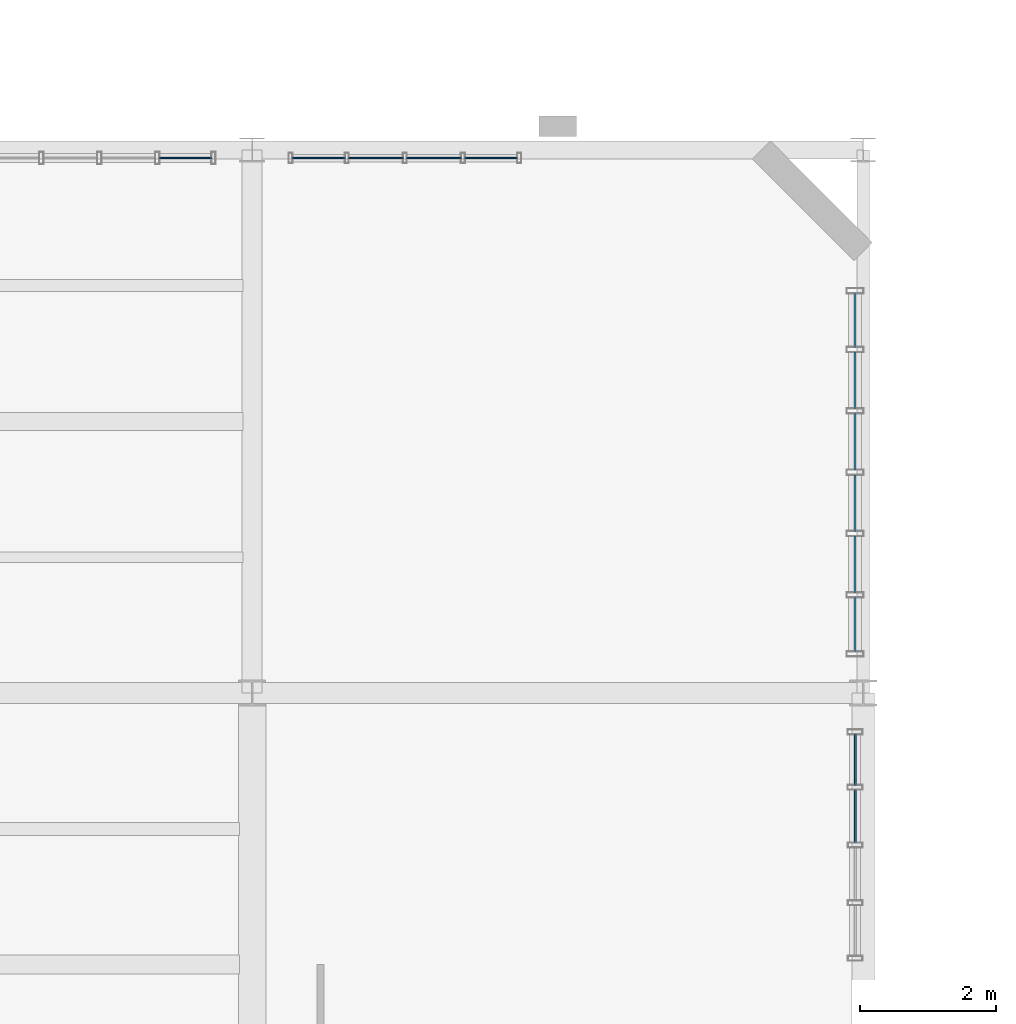
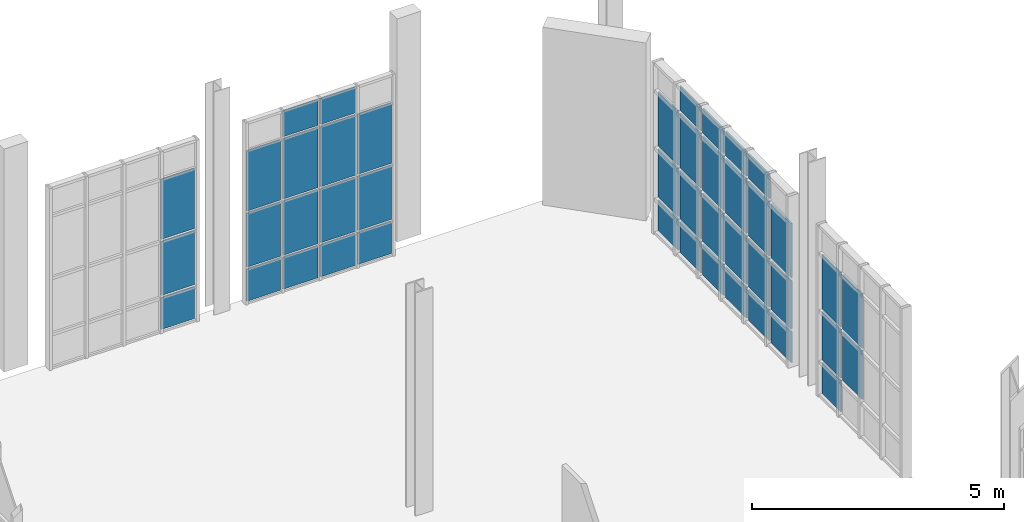
# One storey, part 162 of 189: 44 plates, 4 elements without a shape of their own.
"""IFC4 building model written with IfcOpenShell, lengths in metres."""

from ifc_helpers import new_model, si_unit, direction, frame, origin, origin_2d, place, context, subcontext, project, spatial, rectangle, extrude, material, layer, layer_set, type_object, element, aggregate, save


model = new_model("IFC4")

# Units and contexts
model_context = context("Model", 3, precision=1e-05, world=origin(), true_north=direction((0.0, 1.0)))
body_context = subcontext(model_context, "Body", "Model", "MODEL_VIEW")
ifc_project = project(units=[si_unit("LENGTHUNIT", "METRE"), si_unit("AREAUNIT", "SQUARE_METRE"), si_unit("VOLUMEUNIT", "CUBIC_METRE"), si_unit("PLANEANGLEUNIT", "RADIAN"), si_unit("MASSUNIT", "GRAM", prefix="KILO"), si_unit("THERMODYNAMICTEMPERATUREUNIT", "KELVIN"), si_unit("POWERUNIT", "WATT")], contexts=[model_context])

# Site, building, storey
site_placement = place(None, origin())
site = spatial("IfcSite", under=ifc_project, at=site_placement, CompositionType="ELEMENT")
building_placement = place(site_placement, origin())
building = spatial("IfcBuilding", under=site, at=building_placement, Name="Zelmaris Science Centre", CompositionType="ELEMENT")
storey_placement = place(building_placement, origin())
storey = spatial("IfcBuildingStorey", under=building, at=storey_placement, Name="L00", CompositionType="ELEMENT", Elevation=0.0)

# Curtain wall, plates
ifc_material_1 = material(Name="Anodised architectural aluminium 6063-T6", Category="aluminium")
ifc_layer_1 = layer(ifc_material_1, 0.18994140625, Name="Anodised architectural aluminium 6063-T6")
ifc_layer_set_1 = layer_set([ifc_layer_1], Name="Anodised architectural aluminium 6063-T6")
curtain_wall_type_1 = type_object("IfcCurtainWallType", Name="Curtain Wall CW-01", PredefinedType="USERDEFINED", material=ifc_layer_set_1)
curtain_wall_1_placement = place(storey_placement, origin())
curtain_wall_1 = element("IfcCurtainWall", 1, at=curtain_wall_1_placement, inside=storey, type_object=curtain_wall_type_1, Name="L00 Unitised curtain wall 85", ObjectType="GLAZED CURTAIN WALL", PredefinedType="USERDEFINED")
ifc_material_2 = material(Name="Laminated hurricane-rated low-E insulated glazing", Category="glass")
ifc_layer_2 = layer(ifc_material_2, 0.031982421875, Name="Laminated hurricane-rated low-E insulated glazing")
ifc_layer_set_2 = layer_set([ifc_layer_2], Name="Laminated hurricane-rated low-E insulated glazing")
plate_type_1 = type_object("IfcPlateType", Name="Curtain Glazing Panel CWP-1 32mm", PredefinedType="CURTAIN_PANEL", material=ifc_layer_set_2)
plate_1_placement = place(storey_placement, frame((107.880126953125, 85.490234375, 0.05712890625), z_axis=(0.0, 0.0, 1.0), x_axis=(0.000129151293, -0.99999999166, 0.0)))
plate_1 = element("IfcPlate", 2, at=plate_1_placement, type_object=plate_type_1, Name="CW-01 panel 1.1", PredefinedType="CURTAIN_PANEL", context=body_context, shape_type="SweptSolid", body=[
    extrude(rectangle(XDim=0.79541015625, YDim=0.031982421875, at=origin_2d()), origin(), (0.0, 0.0, 1.0), 0.741943359375),
])
plate_2_placement = place(storey_placement, frame((107.880126953125, 85.490234375, 0.87109375), z_axis=(0.0, 0.0, 1.0), x_axis=(0.000129151293, -0.99999999166, 0.0)))
plate_2 = element("IfcPlate", 3, at=plate_2_placement, type_object=plate_type_1, Name="CW-01 panel 1.2", PredefinedType="CURTAIN_PANEL", context=body_context, shape_type="SweptSolid", body=[
    extrude(rectangle(XDim=0.79541015625, YDim=0.031982421875, at=origin_2d()), origin(), (0.0, 0.0, 1.0), 1.16455078125),
])
plate_3_placement = place(storey_placement, frame((107.880126953125, 85.490234375, 2.107421875), z_axis=(0.0, 0.0, 1.0), x_axis=(0.000129151293, -0.99999999166, 0.0)))
plate_3 = element("IfcPlate", 4, at=plate_3_placement, type_object=plate_type_1, Name="CW-01 panel 1.3", PredefinedType="CURTAIN_PANEL", context=body_context, shape_type="SweptSolid", body=[
    extrude(rectangle(XDim=0.79541015625, YDim=0.031982421875, at=origin_2d()), origin(), (0.0, 0.0, 1.0), 1.314453125),
])
plate_4_placement = place(storey_placement, frame((107.880126953125, 84.60498046875, 0.05712890625), z_axis=(0.0, 0.0, 1.0), x_axis=(0.000129151293, -0.99999999166, 0.0)))
plate_4 = element("IfcPlate", 5, at=plate_4_placement, type_object=plate_type_1, Name="CW-01 panel 2.1", PredefinedType="CURTAIN_PANEL", context=body_context, shape_type="SweptSolid", body=[
    extrude(rectangle(XDim=0.831298828125, YDim=0.031982421875, at=origin_2d()), origin(), (0.0, 0.0, 1.0), 0.741943359375),
])
plate_5_placement = place(storey_placement, frame((107.880126953125, 84.60498046875, 0.87109375), z_axis=(0.0, 0.0, 1.0), x_axis=(0.000129151293, -0.99999999166, 0.0)))
plate_5 = element("IfcPlate", 6, at=plate_5_placement, type_object=plate_type_1, Name="CW-01 panel 2.2", PredefinedType="CURTAIN_PANEL", context=body_context, shape_type="SweptSolid", body=[
    extrude(rectangle(XDim=0.831298828125, YDim=0.031982421875, at=origin_2d()), origin(), (0.0, 0.0, 1.0), 1.16455078125),
])
plate_6_placement = place(storey_placement, frame((107.880126953125, 84.60498046875, 2.107421875), z_axis=(0.0, 0.0, 1.0), x_axis=(0.000129151293, -0.99999999166, 0.0)))
plate_6 = element("IfcPlate", 7, at=plate_6_placement, type_object=plate_type_1, Name="CW-01 panel 2.3", PredefinedType="CURTAIN_PANEL", context=body_context, shape_type="SweptSolid", body=[
    extrude(rectangle(XDim=0.831298828125, YDim=0.031982421875, at=origin_2d()), origin(), (0.0, 0.0, 1.0), 1.314453125),
])
plate_7_placement = place(storey_placement, frame((107.880126953125, 84.60498046875, 3.494140625), z_axis=(0.0, 0.0, 1.0), x_axis=(0.000129151293, -0.99999999166, 0.0)))
plate_7 = element("IfcPlate", 8, at=plate_7_placement, type_object=plate_type_1, Name="CW-01 panel 2.4", PredefinedType="CURTAIN_PANEL", context=body_context, shape_type="SweptSolid", body=[
    extrude(rectangle(XDim=0.831298828125, YDim=0.031982421875, at=origin_2d()), origin(), (0.0, 0.0, 1.0), 0.592041015625),
])
plate_8_placement = place(storey_placement, frame((107.88037109375, 83.70166015625, 0.05712890625), z_axis=(0.0, 0.0, 1.0), x_axis=(0.000129151293, -0.99999999166, 0.0)))
plate_8 = element("IfcPlate", 9, at=plate_8_placement, type_object=plate_type_1, Name="CW-01 panel 3.1", PredefinedType="CURTAIN_PANEL", context=body_context, shape_type="SweptSolid", body=[
    extrude(rectangle(XDim=0.831298828125, YDim=0.031982421875, at=origin_2d()), origin(), (0.0, 0.0, 1.0), 0.741943359375),
])
plate_9_placement = place(storey_placement, frame((107.88037109375, 83.70166015625, 0.87109375), z_axis=(0.0, 0.0, 1.0), x_axis=(0.000129151293, -0.99999999166, 0.0)))
plate_9 = element("IfcPlate", 10, at=plate_9_placement, type_object=plate_type_1, Name="CW-01 panel 3.2", PredefinedType="CURTAIN_PANEL", context=body_context, shape_type="SweptSolid", body=[
    extrude(rectangle(XDim=0.831298828125, YDim=0.031982421875, at=origin_2d()), origin(), (0.0, 0.0, 1.0), 1.16455078125),
])
plate_10_placement = place(storey_placement, frame((107.88037109375, 83.70166015625, 2.107421875), z_axis=(0.0, 0.0, 1.0), x_axis=(0.000129151293, -0.99999999166, 0.0)))
plate_10 = element("IfcPlate", 11, at=plate_10_placement, type_object=plate_type_1, Name="CW-01 panel 3.3", PredefinedType="CURTAIN_PANEL", context=body_context, shape_type="SweptSolid", body=[
    extrude(rectangle(XDim=0.831298828125, YDim=0.031982421875, at=origin_2d()), origin(), (0.0, 0.0, 1.0), 1.314453125),
])
plate_11_placement = place(storey_placement, frame((107.88037109375, 83.70166015625, 3.494140625), z_axis=(0.0, 0.0, 1.0), x_axis=(0.000129151293, -0.99999999166, 0.0)))
plate_11 = element("IfcPlate", 12, at=plate_11_placement, type_object=plate_type_1, Name="CW-01 panel 3.4", PredefinedType="CURTAIN_PANEL", context=body_context, shape_type="SweptSolid", body=[
    extrude(rectangle(XDim=0.831298828125, YDim=0.031982421875, at=origin_2d()), origin(), (0.0, 0.0, 1.0), 0.592041015625),
])
plate_12_placement = place(storey_placement, frame((107.88037109375, 82.79833984375, 0.05712890625), z_axis=(0.0, 0.0, 1.0), x_axis=(0.000129151293, -0.99999999166, 0.0)))
plate_12 = element("IfcPlate", 13, at=plate_12_placement, type_object=plate_type_1, Name="CW-01 panel 4.1", PredefinedType="CURTAIN_PANEL", context=body_context, shape_type="SweptSolid", body=[
    extrude(rectangle(XDim=0.831298828125, YDim=0.031982421875, at=origin_2d()), origin(), (0.0, 0.0, 1.0), 0.741943359375),
])
plate_13_placement = place(storey_placement, frame((107.88037109375, 82.79833984375, 0.87109375), z_axis=(0.0, 0.0, 1.0), x_axis=(0.000129151293, -0.99999999166, 0.0)))
plate_13 = element("IfcPlate", 14, at=plate_13_placement, type_object=plate_type_1, Name="CW-01 panel 4.2", PredefinedType="CURTAIN_PANEL", context=body_context, shape_type="SweptSolid", body=[
    extrude(rectangle(XDim=0.831298828125, YDim=0.031982421875, at=origin_2d()), origin(), (0.0, 0.0, 1.0), 1.16455078125),
])
plate_14_placement = place(storey_placement, frame((107.88037109375, 82.79833984375, 2.107421875), z_axis=(0.0, 0.0, 1.0), x_axis=(0.000129151293, -0.99999999166, 0.0)))
plate_14 = element("IfcPlate", 15, at=plate_14_placement, type_object=plate_type_1, Name="CW-01 panel 4.3", PredefinedType="CURTAIN_PANEL", context=body_context, shape_type="SweptSolid", body=[
    extrude(rectangle(XDim=0.831298828125, YDim=0.031982421875, at=origin_2d()), origin(), (0.0, 0.0, 1.0), 1.314453125),
])
plate_15_placement = place(storey_placement, frame((107.88037109375, 82.79833984375, 3.494140625), z_axis=(0.0, 0.0, 1.0), x_axis=(0.000129151293, -0.99999999166, 0.0)))
plate_15 = element("IfcPlate", 16, at=plate_15_placement, type_object=plate_type_1, Name="CW-01 panel 4.4", PredefinedType="CURTAIN_PANEL", context=body_context, shape_type="SweptSolid", body=[
    extrude(rectangle(XDim=0.831298828125, YDim=0.031982421875, at=origin_2d()), origin(), (0.0, 0.0, 1.0), 0.592041015625),
])
plate_16_placement = place(storey_placement, frame((107.880615234375, 81.89501953125, 0.05712890625), z_axis=(0.0, 0.0, 1.0), x_axis=(0.000129151293, -0.99999999166, 0.0)))
plate_16 = element("IfcPlate", 17, at=plate_16_placement, type_object=plate_type_1, Name="CW-01 panel 5.1", PredefinedType="CURTAIN_PANEL", context=body_context, shape_type="SweptSolid", body=[
    extrude(rectangle(XDim=0.831298828125, YDim=0.031982421875, at=origin_2d()), origin(), (0.0, 0.0, 1.0), 0.741943359375),
])
plate_17_placement = place(storey_placement, frame((107.880615234375, 81.89501953125, 0.87109375), z_axis=(0.0, 0.0, 1.0), x_axis=(0.000129151293, -0.99999999166, 0.0)))
plate_17 = element("IfcPlate", 18, at=plate_17_placement, type_object=plate_type_1, Name="CW-01 panel 5.2", PredefinedType="CURTAIN_PANEL", context=body_context, shape_type="SweptSolid", body=[
    extrude(rectangle(XDim=0.831298828125, YDim=0.031982421875, at=origin_2d()), origin(), (0.0, 0.0, 1.0), 1.16455078125),
])
plate_18_placement = place(storey_placement, frame((107.880615234375, 81.89501953125, 2.107421875), z_axis=(0.0, 0.0, 1.0), x_axis=(0.000129151293, -0.99999999166, 0.0)))
plate_18 = element("IfcPlate", 19, at=plate_18_placement, type_object=plate_type_1, Name="CW-01 panel 5.3", PredefinedType="CURTAIN_PANEL", context=body_context, shape_type="SweptSolid", body=[
    extrude(rectangle(XDim=0.831298828125, YDim=0.031982421875, at=origin_2d()), origin(), (0.0, 0.0, 1.0), 1.314453125),
])
plate_19_placement = place(storey_placement, frame((107.880615234375, 81.89501953125, 3.494140625), z_axis=(0.0, 0.0, 1.0), x_axis=(0.000129151293, -0.99999999166, 0.0)))
plate_19 = element("IfcPlate", 20, at=plate_19_placement, type_object=plate_type_1, Name="CW-01 panel 5.4", PredefinedType="CURTAIN_PANEL", context=body_context, shape_type="SweptSolid", body=[
    extrude(rectangle(XDim=0.831298828125, YDim=0.031982421875, at=origin_2d()), origin(), (0.0, 0.0, 1.0), 0.592041015625),
])
plate_20_placement = place(storey_placement, frame((107.880615234375, 81.009765625, 0.05712890625), z_axis=(0.0, 0.0, 1.0), x_axis=(0.000129151293, -0.99999999166, 0.0)))
plate_20 = element("IfcPlate", 21, at=plate_20_placement, type_object=plate_type_1, Name="CW-01 panel 6.1", PredefinedType="CURTAIN_PANEL", context=body_context, shape_type="SweptSolid", body=[
    extrude(rectangle(XDim=0.79541015625, YDim=0.031982421875, at=origin_2d()), origin(), (0.0, 0.0, 1.0), 0.741943359375),
])
plate_21_placement = place(storey_placement, frame((107.880615234375, 81.009765625, 0.87109375), z_axis=(0.0, 0.0, 1.0), x_axis=(0.000129151293, -0.99999999166, 0.0)))
plate_21 = element("IfcPlate", 22, at=plate_21_placement, type_object=plate_type_1, Name="CW-01 panel 6.2", PredefinedType="CURTAIN_PANEL", context=body_context, shape_type="SweptSolid", body=[
    extrude(rectangle(XDim=0.79541015625, YDim=0.031982421875, at=origin_2d()), origin(), (0.0, 0.0, 1.0), 1.16455078125),
])
plate_22_placement = place(storey_placement, frame((107.880615234375, 81.009765625, 2.107421875), z_axis=(0.0, 0.0, 1.0), x_axis=(0.000129151293, -0.99999999166, 0.0)))
plate_22 = element("IfcPlate", 23, at=plate_22_placement, type_object=plate_type_1, Name="CW-01 panel 6.3", PredefinedType="CURTAIN_PANEL", context=body_context, shape_type="SweptSolid", body=[
    extrude(rectangle(XDim=0.79541015625, YDim=0.031982421875, at=origin_2d()), origin(), (0.0, 0.0, 1.0), 1.314453125),
])
aggregate(curtain_wall_1, [plate_1, plate_2, plate_3, plate_4, plate_5, plate_6, plate_7, plate_8, plate_9, plate_10, plate_11, plate_12, plate_13, plate_14, plate_15, plate_16, plate_17, plate_18, plate_19, plate_20, plate_21, plate_22])

ifc_layer_3 = layer(ifc_material_1, 0.199951171875, Name="Anodised architectural aluminium 6063-T6")
ifc_layer_set_3 = layer_set([ifc_layer_3], Name="Anodised architectural aluminium 6063-T6")
curtain_wall_type_2 = type_object("IfcCurtainWallType", Name="Curtain Wall CW-02", PredefinedType="USERDEFINED", material=ifc_layer_set_3)
curtain_wall_2_placement = place(storey_placement, origin())
curtain_wall_2 = element("IfcCurtainWall", 24, at=curtain_wall_2_placement, inside=storey, type_object=curtain_wall_type_2, Name="L00 Unitised curtain wall 86", ObjectType="GLAZED CURTAIN WALL", PredefinedType="USERDEFINED")
ifc_layer_4 = layer(ifc_material_2, 0.028076171875, Name="Laminated hurricane-rated low-E insulated glazing")
ifc_layer_set_4 = layer_set([ifc_layer_4], Name="Laminated hurricane-rated low-E insulated glazing")
plate_type_2 = type_object("IfcPlateType", Name="Curtain Glazing Panel CWP-2 28mm", PredefinedType="CURTAIN_PANEL", material=ifc_layer_set_4)
plate_23_placement = place(storey_placement, frame((107.880859375, 79.018310546875, 0.052001953125), z_axis=(0.0, 0.0, 1.0), x_axis=(0.000147058824, -0.999999989187, 0.0)))
plate_23 = element("IfcPlate", 25, at=plate_23_placement, type_object=plate_type_2, Name="CW-02 panel 1.1", PredefinedType="CURTAIN_PANEL", context=body_context, shape_type="SweptSolid", body=[
    extrude(rectangle(XDim=0.74951171875, YDim=0.028076171875, at=origin_2d()), origin(), (0.0, 0.0, 1.0), 0.74951171875),
])
plate_24_placement = place(storey_placement, frame((107.880859375, 79.018310546875, 0.86865234375), z_axis=(0.0, 0.0, 1.0), x_axis=(0.000147058824, -0.999999989187, 0.0)))
plate_24 = element("IfcPlate", 26, at=plate_24_placement, type_object=plate_type_2, Name="CW-02 panel 1.2", PredefinedType="CURTAIN_PANEL", context=body_context, shape_type="SweptSolid", body=[
    extrude(rectangle(XDim=0.74951171875, YDim=0.028076171875, at=origin_2d()), origin(), (0.0, 0.0, 1.0), 1.16943359375),
])
plate_25_placement = place(storey_placement, frame((107.880859375, 79.018310546875, 2.10498046875), z_axis=(0.0, 0.0, 1.0), x_axis=(0.000147058824, -0.999999989187, 0.0)))
plate_25 = element("IfcPlate", 27, at=plate_25_placement, type_object=plate_type_2, Name="CW-02 panel 1.3", PredefinedType="CURTAIN_PANEL", context=body_context, shape_type="SweptSolid", body=[
    extrude(rectangle(XDim=0.74951171875, YDim=0.028076171875, at=origin_2d()), origin(), (0.0, 0.0, 1.0), 1.319580078125),
])
plate_26_placement = place(storey_placement, frame((107.881103515625, 78.18505859375, 0.86865234375), z_axis=(0.0, 0.0, 1.0), x_axis=(0.000147058824, -0.999999989187, 0.0)))
plate_26 = element("IfcPlate", 28, at=plate_26_placement, type_object=plate_type_2, Name="CW-02 panel 2.2", PredefinedType="CURTAIN_PANEL", context=body_context, shape_type="SweptSolid", body=[
    extrude(rectangle(XDim=0.782958984375, YDim=0.028076171875, at=origin_2d()), origin(), (0.0, 0.0, 1.0), 1.16943359375),
])
plate_27_placement = place(storey_placement, frame((107.881103515625, 78.18505859375, 2.10498046875), z_axis=(0.0, 0.0, 1.0), x_axis=(0.000147058824, -0.999999989187, 0.0)))
plate_27 = element("IfcPlate", 29, at=plate_27_placement, type_object=plate_type_2, Name="CW-02 panel 2.3", PredefinedType="CURTAIN_PANEL", context=body_context, shape_type="SweptSolid", body=[
    extrude(rectangle(XDim=0.782958984375, YDim=0.028076171875, at=origin_2d()), origin(), (0.0, 0.0, 1.0), 1.319580078125),
])
aggregate(curtain_wall_2, [plate_23, plate_24, plate_25, plate_26, plate_27])

ifc_layer_5 = layer(ifc_material_1, 0.2099609375, Name="Anodised architectural aluminium 6063-T6")
ifc_layer_set_5 = layer_set([ifc_layer_5], Name="Anodised architectural aluminium 6063-T6")
curtain_wall_type_3 = type_object("IfcCurtainWallType", Name="Curtain Wall CW-03", PredefinedType="USERDEFINED", material=ifc_layer_set_5)
curtain_wall_3_placement = place(storey_placement, origin())
curtain_wall_3 = element("IfcCurtainWall", 30, at=curtain_wall_3_placement, inside=storey, type_object=curtain_wall_type_3, Name="L00 Unitised curtain wall 83", ObjectType="GLAZED CURTAIN WALL", PredefinedType="USERDEFINED")
ifc_layer_6 = layer(ifc_material_2, 0.02587890625, Name="Laminated hurricane-rated low-E insulated glazing")
ifc_layer_set_6 = layer_set([ifc_layer_6], Name="Laminated hurricane-rated low-E insulated glazing")
plate_type_3 = type_object("IfcPlateType", Name="Curtain Glazing Panel CWP-3 26mm", PredefinedType="CURTAIN_PANEL", material=ifc_layer_set_6)
plate_28_placement = place(storey_placement, frame((98.018310546875, 87.8798828125, 0.0419921875), z_axis=(0.0, 0.0, 1.0), x_axis=(1.0, 0.0, 0.0)))
plate_28 = element("IfcPlate", 31, at=plate_28_placement, type_object=plate_type_3, Name="CW-03 panel 4.1", PredefinedType="CURTAIN_PANEL", context=body_context, shape_type="SweptSolid", body=[
    extrude(rectangle(XDim=0.76953125, YDim=0.02587890625, at=origin_2d()), origin(), (0.0, 0.0, 1.0), 0.764404296875),
])
plate_29_placement = place(storey_placement, frame((98.018310546875, 87.8798828125, 0.86328125), z_axis=(0.0, 0.0, 1.0), x_axis=(1.0, 0.0, 0.0)))
plate_29 = element("IfcPlate", 32, at=plate_29_placement, type_object=plate_type_3, Name="CW-03 panel 4.2", PredefinedType="CURTAIN_PANEL", context=body_context, shape_type="SweptSolid", body=[
    extrude(rectangle(XDim=0.76953125, YDim=0.02587890625, at=origin_2d()), origin(), (0.0, 0.0, 1.0), 1.301513671875),
])
plate_30_placement = place(storey_placement, frame((98.018310546875, 87.8798828125, 2.22216796875), z_axis=(0.0, 0.0, 1.0), x_axis=(1.0, 0.0, 0.0)))
plate_30 = element("IfcPlate", 33, at=plate_30_placement, type_object=plate_type_3, Name="CW-03 panel 4.3", PredefinedType="CURTAIN_PANEL", context=body_context, shape_type="SweptSolid", body=[
    extrude(rectangle(XDim=0.76953125, YDim=0.02587890625, at=origin_2d()), origin(), (0.0, 0.0, 1.0), 1.451416015625),
])
aggregate(curtain_wall_3, [plate_28, plate_29, plate_30])

ifc_layer_7 = layer(ifc_material_1, 0.219970703125, Name="Anodised architectural aluminium 6063-T6")
ifc_layer_set_7 = layer_set([ifc_layer_7], Name="Anodised architectural aluminium 6063-T6")
curtain_wall_type_4 = type_object("IfcCurtainWallType", Name="Curtain Wall CW-04", PredefinedType="USERDEFINED", material=ifc_layer_set_7)
curtain_wall_4_placement = place(storey_placement, origin())
curtain_wall_4 = element("IfcCurtainWall", 34, at=curtain_wall_4_placement, inside=storey, type_object=curtain_wall_type_4, Name="L00 Unitised curtain wall 84", ObjectType="GLAZED CURTAIN WALL", PredefinedType="USERDEFINED")
ifc_layer_8 = layer(ifc_material_2, 0.02392578125, Name="Laminated hurricane-rated low-E insulated glazing")
ifc_layer_set_8 = layer_set([ifc_layer_8], Name="Laminated hurricane-rated low-E insulated glazing")
plate_type_4 = type_object("IfcPlateType", Name="Curtain Glazing Panel CWP-4 24mm", PredefinedType="CURTAIN_PANEL", material=ifc_layer_set_8)
plate_31_placement = place(storey_placement, frame((99.98046875, 87.8798828125, 0.037109375), z_axis=(0.0, 0.0, 1.0), x_axis=(1.0, 0.0, 0.0)))
plate_31 = element("IfcPlate", 35, at=plate_31_placement, type_object=plate_type_4, Name="CW-04 panel 1.1", PredefinedType="CURTAIN_PANEL", context=body_context, shape_type="SweptSolid", body=[
    extrude(rectangle(XDim=0.777099609375, YDim=0.02392578125, at=origin_2d()), origin(), (0.0, 0.0, 1.0), 0.77197265625),
])
plate_32_placement = place(storey_placement, frame((99.98046875, 87.8798828125, 0.86083984375), z_axis=(0.0, 0.0, 1.0), x_axis=(1.0, 0.0, 0.0)))
plate_32 = element("IfcPlate", 36, at=plate_32_placement, type_object=plate_type_4, Name="CW-04 panel 1.2", PredefinedType="CURTAIN_PANEL", context=body_context, shape_type="SweptSolid", body=[
    extrude(rectangle(XDim=0.777099609375, YDim=0.02392578125, at=origin_2d()), origin(), (0.0, 0.0, 1.0), 1.306396484375),
])
plate_33_placement = place(storey_placement, frame((99.98046875, 87.8798828125, 2.219482421875), z_axis=(0.0, 0.0, 1.0), x_axis=(1.0, 0.0, 0.0)))
plate_33 = element("IfcPlate", 37, at=plate_33_placement, type_object=plate_type_4, Name="CW-04 panel 1.3", PredefinedType="CURTAIN_PANEL", context=body_context, shape_type="SweptSolid", body=[
    extrude(rectangle(XDim=0.777099609375, YDim=0.02392578125, at=origin_2d()), origin(), (0.0, 0.0, 1.0), 1.45654296875),
])
plate_34_placement = place(storey_placement, frame((100.822509765625, 87.8798828125, 0.037109375), z_axis=(0.0, 0.0, 1.0), x_axis=(1.0, 0.0, 0.0)))
plate_34 = element("IfcPlate", 38, at=plate_34_placement, type_object=plate_type_4, Name="CW-04 panel 2.1", PredefinedType="CURTAIN_PANEL", context=body_context, shape_type="SweptSolid", body=[
    extrude(rectangle(XDim=0.802978515625, YDim=0.02392578125, at=origin_2d()), origin(), (0.0, 0.0, 1.0), 0.77197265625),
])
plate_35_placement = place(storey_placement, frame((100.822509765625, 87.8798828125, 0.86083984375), z_axis=(0.0, 0.0, 1.0), x_axis=(1.0, 0.0, 0.0)))
plate_35 = element("IfcPlate", 39, at=plate_35_placement, type_object=plate_type_4, Name="CW-04 panel 2.2", PredefinedType="CURTAIN_PANEL", context=body_context, shape_type="SweptSolid", body=[
    extrude(rectangle(XDim=0.802978515625, YDim=0.02392578125, at=origin_2d()), origin(), (0.0, 0.0, 1.0), 1.306396484375),
])
plate_36_placement = place(storey_placement, frame((100.822509765625, 87.8798828125, 2.219482421875), z_axis=(0.0, 0.0, 1.0), x_axis=(1.0, 0.0, 0.0)))
plate_36 = element("IfcPlate", 40, at=plate_36_placement, type_object=plate_type_4, Name="CW-04 panel 2.3", PredefinedType="CURTAIN_PANEL", context=body_context, shape_type="SweptSolid", body=[
    extrude(rectangle(XDim=0.802978515625, YDim=0.02392578125, at=origin_2d()), origin(), (0.0, 0.0, 1.0), 1.45654296875),
])
plate_37_placement = place(storey_placement, frame((100.822509765625, 87.8798828125, 3.72802734375), z_axis=(0.0, 0.0, 1.0), x_axis=(1.0, 0.0, 0.0)))
plate_37 = element("IfcPlate", 41, at=plate_37_placement, type_object=plate_type_4, Name="CW-04 panel 2.4", PredefinedType="CURTAIN_PANEL", context=body_context, shape_type="SweptSolid", body=[
    extrude(rectangle(XDim=0.802978515625, YDim=0.02392578125, at=origin_2d()), origin(), (0.0, 0.0, 1.0), 0.6220703125),
])
plate_38_placement = place(storey_placement, frame((101.677490234375, 87.8798828125, 0.037109375), z_axis=(0.0, 0.0, 1.0), x_axis=(1.0, 0.0, 0.0)))
plate_38 = element("IfcPlate", 42, at=plate_38_placement, type_object=plate_type_4, Name="CW-04 panel 3.1", PredefinedType="CURTAIN_PANEL", context=body_context, shape_type="SweptSolid", body=[
    extrude(rectangle(XDim=0.802978515625, YDim=0.02392578125, at=origin_2d()), origin(), (0.0, 0.0, 1.0), 0.77197265625),
])
plate_39_placement = place(storey_placement, frame((101.677490234375, 87.8798828125, 0.86083984375), z_axis=(0.0, 0.0, 1.0), x_axis=(1.0, 0.0, 0.0)))
plate_39 = element("IfcPlate", 43, at=plate_39_placement, type_object=plate_type_4, Name="CW-04 panel 3.2", PredefinedType="CURTAIN_PANEL", context=body_context, shape_type="SweptSolid", body=[
    extrude(rectangle(XDim=0.802978515625, YDim=0.02392578125, at=origin_2d()), origin(), (0.0, 0.0, 1.0), 1.306396484375),
])
plate_40_placement = place(storey_placement, frame((101.677490234375, 87.8798828125, 2.219482421875), z_axis=(0.0, 0.0, 1.0), x_axis=(1.0, 0.0, 0.0)))
plate_40 = element("IfcPlate", 44, at=plate_40_placement, type_object=plate_type_4, Name="CW-04 panel 3.3", PredefinedType="CURTAIN_PANEL", context=body_context, shape_type="SweptSolid", body=[
    extrude(rectangle(XDim=0.802978515625, YDim=0.02392578125, at=origin_2d()), origin(), (0.0, 0.0, 1.0), 1.45654296875),
])
plate_41_placement = place(storey_placement, frame((101.677490234375, 87.8798828125, 3.72802734375), z_axis=(0.0, 0.0, 1.0), x_axis=(1.0, 0.0, 0.0)))
plate_41 = element("IfcPlate", 45, at=plate_41_placement, type_object=plate_type_4, Name="CW-04 panel 3.4", PredefinedType="CURTAIN_PANEL", context=body_context, shape_type="SweptSolid", body=[
    extrude(rectangle(XDim=0.802978515625, YDim=0.02392578125, at=origin_2d()), origin(), (0.0, 0.0, 1.0), 0.6220703125),
])
plate_42_placement = place(storey_placement, frame((102.51953125, 87.8798828125, 0.037109375), z_axis=(0.0, 0.0, 1.0), x_axis=(1.0, 0.0, 0.0)))
plate_42 = element("IfcPlate", 46, at=plate_42_placement, type_object=plate_type_4, Name="CW-04 panel 4.1", PredefinedType="CURTAIN_PANEL", context=body_context, shape_type="SweptSolid", body=[
    extrude(rectangle(XDim=0.777099609375, YDim=0.02392578125, at=origin_2d()), origin(), (0.0, 0.0, 1.0), 0.77197265625),
])
plate_43_placement = place(storey_placement, frame((102.51953125, 87.8798828125, 0.86083984375), z_axis=(0.0, 0.0, 1.0), x_axis=(1.0, 0.0, 0.0)))
plate_43 = element("IfcPlate", 47, at=plate_43_placement, type_object=plate_type_4, Name="CW-04 panel 4.2", PredefinedType="CURTAIN_PANEL", context=body_context, shape_type="SweptSolid", body=[
    extrude(rectangle(XDim=0.777099609375, YDim=0.02392578125, at=origin_2d()), origin(), (0.0, 0.0, 1.0), 1.306396484375),
])
plate_44_placement = place(storey_placement, frame((102.51953125, 87.8798828125, 2.219482421875), z_axis=(0.0, 0.0, 1.0), x_axis=(1.0, 0.0, 0.0)))
plate_44 = element("IfcPlate", 48, at=plate_44_placement, type_object=plate_type_4, Name="CW-04 panel 4.3", PredefinedType="CURTAIN_PANEL", context=body_context, shape_type="SweptSolid", body=[
    extrude(rectangle(XDim=0.777099609375, YDim=0.02392578125, at=origin_2d()), origin(), (0.0, 0.0, 1.0), 1.45654296875),
])
aggregate(curtain_wall_4, [plate_31, plate_32, plate_33, plate_34, plate_35, plate_36, plate_37, plate_38, plate_39, plate_40, plate_41, plate_42, plate_43, plate_44])

save(model, "model.ifc")
